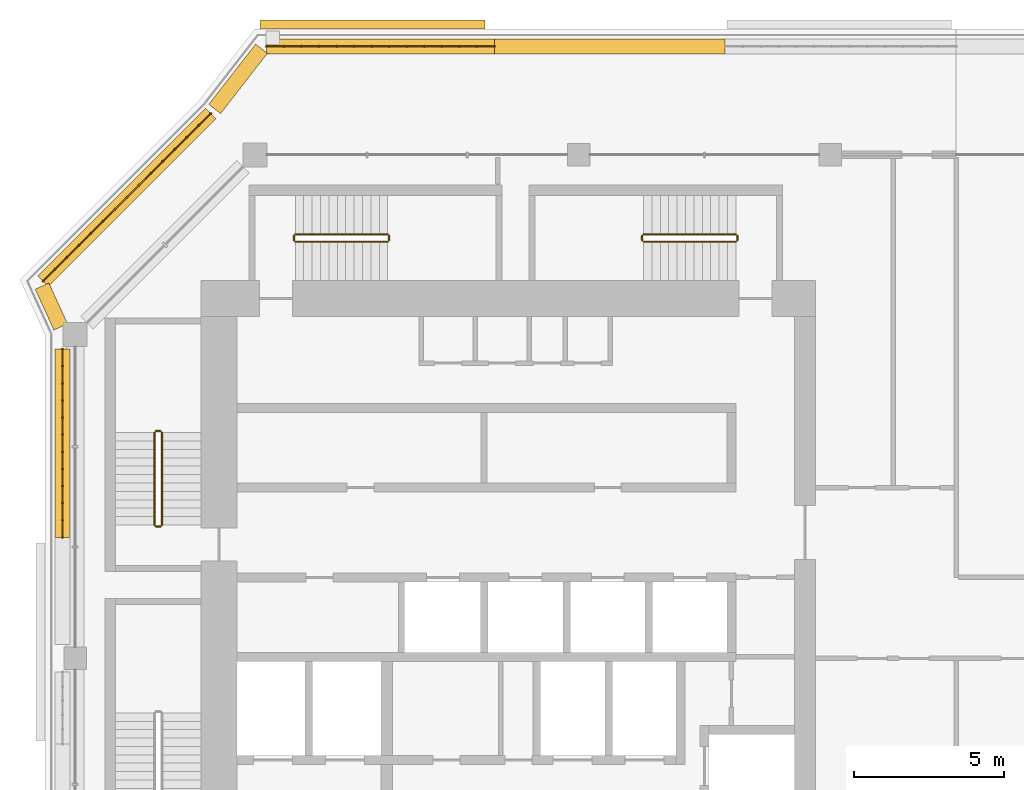
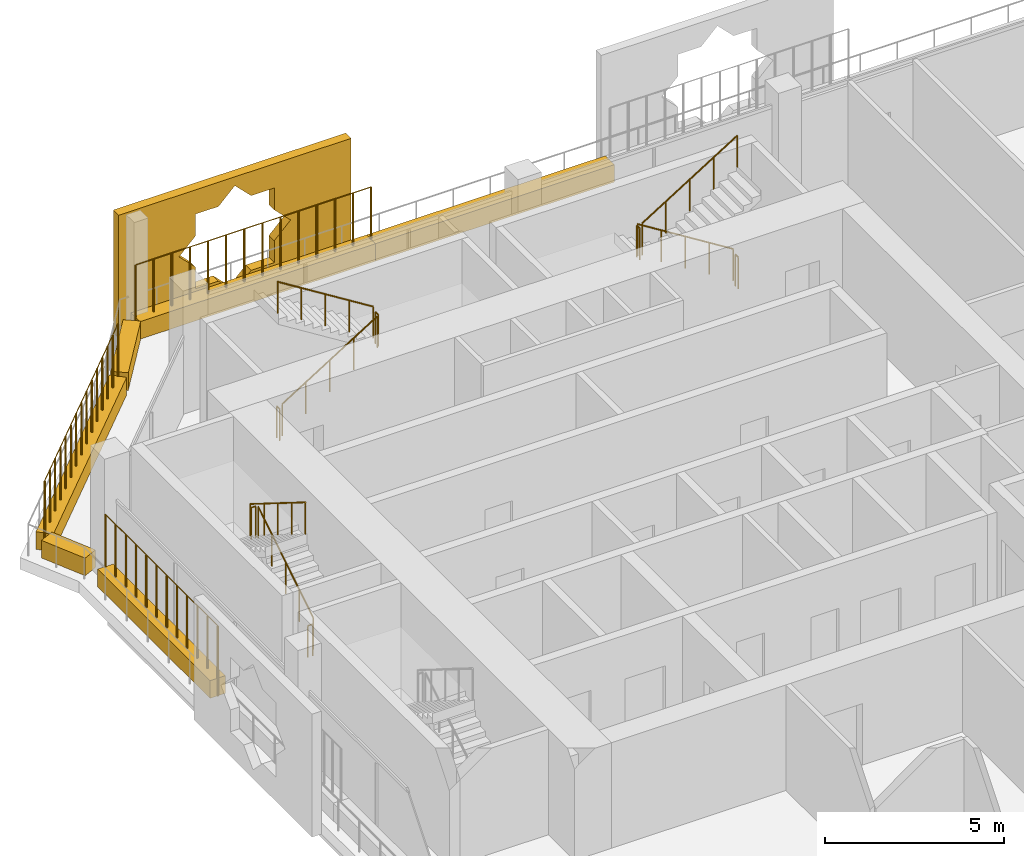
# One storey, part 19 of 22: 15 railings, 7 coverings.
"""IFC4 building model written with IfcOpenShell, lengths in metres."""

from ifc_helpers import new_model, si_unit, direction, frame, origin, origin_2d, place, context, subcontext, project, spatial, polyline, rectangle, circle, outline, extrude, material, material_profile, profile_set, type_object, element, save


model = new_model("IFC4")

# Units and contexts
model_context = context("Model", 3, precision=1e-05, world=origin(), true_north=direction((0.0, 1.0)))
body_context = subcontext(model_context, "Body", "Model", "MODEL_VIEW")
ifc_project = project(units=[si_unit("LENGTHUNIT", "METRE"), si_unit("AREAUNIT", "SQUARE_METRE"), si_unit("VOLUMEUNIT", "CUBIC_METRE"), si_unit("PLANEANGLEUNIT", "RADIAN"), si_unit("MASSUNIT", "GRAM", prefix="KILO")], contexts=[model_context])

# Site, building, storey
site_placement = place(None, origin())
site = spatial("IfcSite", under=ifc_project, at=site_placement, CompositionType="ELEMENT")
building_placement = place(site_placement, origin())
building = spatial("IfcBuilding", under=site, at=building_placement, Name="Kawkab Arch Medical Tower", CompositionType="ELEMENT")
storey_placement = place(building_placement, frame((0.0, 0.0, 286.0)))
storey = spatial("IfcBuildingStorey", under=building, at=storey_placement, Name="L66", CompositionType="ELEMENT", Elevation=286.0)

# Coverings
ifc_material_1 = material(Name="Bronze anodised aluminium mashrabiya panel, eight-point star pattern", Category="aluminium")
ifc_material_profile_1 = material_profile(ifc_material_1, outline(polyline([(-3.75, -2.10009765625), (3.75, -2.10009765625), (3.75, 2.10009765625), (-3.75, 2.10009765625), (-3.75, -2.10009765625)]), holes=[polyline([(1.800048828125, 0.0), (1.272705078125, 0.527099609375), (1.272705078125, 1.272705078125), (0.527099609375, 1.272705078125), (0.0, 1.800048828125), (-0.527099609375, 1.272705078125), (-1.272705078125, 1.272705078125), (-1.272705078125, 0.527099609375), (-1.800048828125, 0.0), (-1.272705078125, -0.527099609375), (-1.272705078125, -1.272705078125), (-0.527099609375, -1.272705078125), (0.0, -1.800048828125), (0.527099609375, -1.272705078125), (1.272705078125, -1.272705078125), (1.272705078125, -0.527099609375), (1.800048828125, 0.0)])]), Name="Mashrabiya panel 7500x4200")
ifc_profile_set_1 = profile_set([ifc_material_profile_1], Name="Bronze anodised aluminium mashrabiya panel, eight-point star pattern")
covering_type_1 = type_object("IfcCoveringType", Name="Mashrabiya panel 7500 x 4200", PredefinedType="USERDEFINED", material=ifc_profile_set_1)
covering_1_placement = place(storey_placement, frame((9.924072265625, 4.199951171875, 1.699951171875), z_axis=(0.0, 1.0, 0.0), x_axis=(-1.0, 0.0, 0.0)))
element("IfcCovering", 1, at=covering_1_placement, inside=storey, type_object=covering_type_1, Name="Mashrabiya panel L66.LOG-01-02.3", ObjectType="SCREEN", PredefinedType="USERDEFINED", context=body_context, shape_type="SweptSolid", body=[
    extrude(outline(polyline([(-3.75, -2.10009765625), (3.75, -2.10009765625), (3.75, 2.10009765625), (-3.75, 2.10009765625), (-3.75, -2.10009765625)]), holes=[polyline([(1.800048828125, 0.0), (1.272705078125, 0.527099609375), (1.272705078125, 1.272705078125), (0.527099609375, 1.272705078125), (0.0, 1.800048828125), (-0.527099609375, 1.272705078125), (-1.272705078125, 1.272705078125), (-1.272705078125, 0.527099609375), (-1.800048828125, 0.0), (-1.272705078125, -0.527099609375), (-1.272705078125, -1.272705078125), (-0.527099609375, -1.272705078125), (0.0, -1.800048828125), (0.527099609375, -1.272705078125), (1.272705078125, -1.272705078125), (1.272705078125, -0.527099609375), (1.800048828125, 0.0)])]), origin(), (0.0, 0.0, 1.0), 0.300048828125),
])
ifc_material_2 = material(Name="Planting soil in a precast trough", Category="concrete")
ifc_material_profile_2 = material_profile(ifc_material_2, rectangle(XDim=0.5, YDim=0.60009765625, at=origin_2d()), Name="Trough 500x600")
ifc_profile_set_2 = profile_set([ifc_material_profile_2], Name="Planting soil in a precast trough")
covering_type_2 = type_object("IfcCoveringType", Name="Planter trough 500 x 600", PredefinedType="USERDEFINED", material=ifc_profile_set_2)
covering_2_placement = place(storey_placement, frame((-0.419921875, -12.763916015625, 0.300048828125), z_axis=(0.0, 1.0, 0.0), x_axis=(-1.0, 0.0, 0.0)))
element("IfcCovering", 2, at=covering_2_placement, inside=storey, type_object=covering_type_2, Name="Planter L66.LOG-01-02.9", ObjectType="PLANTER", PredefinedType="USERDEFINED", context=body_context, shape_type="SweptSolid", body=[
    extrude(rectangle(XDim=0.5, YDim=0.60009765625, at=origin_2d()), origin(), (0.0, 0.0, 1.0), 6.283935546875),
])
covering_3_placement = place(storey_placement, frame((-0.47998046875, -5.741943359375, 0.300048828125), z_axis=(-0.415189748133, 0.909734836667, 0.0), x_axis=(-0.909734836667, -0.415189748133, 0.0)))
element("IfcCovering", 3, at=covering_3_placement, inside=storey, type_object=covering_type_2, Name="Planter L66.LOG-01-02.10", ObjectType="PLANTER", PredefinedType="USERDEFINED", context=body_context, shape_type="SweptSolid", body=[
    extrude(rectangle(XDim=0.5, YDim=0.60009765625, at=origin_2d()), origin(), (0.0, 0.0, 1.0), 1.498291015625),
])
covering_4_placement = place(storey_placement, frame((-1.072998046875, -4.217041015625, 0.300048828125), z_axis=(0.707106781187, 0.707106781187, 0.0), x_axis=(-0.707106781187, 0.707106781187, 0.0)))
element("IfcCovering", 4, at=covering_4_placement, inside=storey, type_object=covering_type_2, Name="Planter L66.LOG-01-02.11", ObjectType="PLANTER", PredefinedType="USERDEFINED", context=body_context, shape_type="SweptSolid", body=[
    extrude(rectangle(XDim=0.5, YDim=0.60009765625, at=origin_2d()), origin(), (0.0, 0.0, 1.0), 7.919677734375),
])
covering_5_placement = place(storey_placement, frame((4.658935546875, 1.531982421875, 0.300048828125), z_axis=(0.61404021143, 0.789274742246, 0.0), x_axis=(-0.789274742246, 0.61404021143, 0.0)))
element("IfcCovering", 5, at=covering_5_placement, inside=storey, type_object=covering_type_2, Name="Planter L66.LOG-01-02.12", ObjectType="PLANTER", PredefinedType="USERDEFINED", context=body_context, shape_type="SweptSolid", body=[
    extrude(rectangle(XDim=0.5, YDim=0.60009765625, at=origin_2d()), origin(), (0.0, 0.0, 1.0), 2.54541015625),
])
covering_6_placement = place(storey_placement, frame((6.384033203125, 3.6201171875, 0.300048828125), z_axis=(1.0, 0.0, 0.0), x_axis=(0.0, 1.0, 0.0)))
element("IfcCovering", 6, at=covering_6_placement, inside=storey, type_object=covering_type_2, Name="Planter L66.LOG-01-02.13", ObjectType="PLANTER", PredefinedType="USERDEFINED", context=body_context, shape_type="SweptSolid", body=[
    extrude(rectangle(XDim=0.5, YDim=0.60009765625, at=origin_2d()), origin(), (0.0, 0.0, 1.0), 7.60498046875),
])
covering_7_placement = place(storey_placement, frame((13.989013671875, 3.6201171875, 0.300048828125), z_axis=(1.0, 0.0, 0.0), x_axis=(0.0, 1.0, 0.0)))
element("IfcCovering", 7, at=covering_7_placement, inside=storey, type_object=covering_type_2, Name="Planter L66.LOG-01-02.14", ObjectType="PLANTER", PredefinedType="USERDEFINED", context=body_context, shape_type="SweptSolid", body=[
    extrude(rectangle(XDim=0.5, YDim=0.60009765625, at=origin_2d()), origin(), (0.0, 0.0, 1.0), 7.7060546875),
])

# Railings
ifc_material_3 = material(Name="Bronze anodised aluminium trellis for climbing plants", Category="aluminium")
railing_type_1 = type_object("IfcRailingType", Name="Planting trellis 2400", PredefinedType="USERDEFINED", material=ifc_material_3)
railing_1_placement = place(storey_placement, frame((-0.419921875, -12.763916015625, 0.0)))
element("IfcRailing", 8, at=railing_1_placement, inside=storey, type_object=railing_type_1, Name="Planting trellis L66.LOG-01-02.9", ObjectType="TRELLIS", PredefinedType="USERDEFINED", context=body_context, shape_type="SweptSolid", body=[
    extrude(circle(Radius=0.01513671875, at=origin_2d()), frame((0.0, 0.0, 2.384765625), z_axis=(0.0, 1.0, 0.0), x_axis=(-1.0, 0.0, 0.0)), (0.0, 0.0, 1.0), 6.283935546875),
    extrude(circle(Radius=0.030029296875, at=origin_2d()), origin(), (0.0, 0.0, 1.0), 2.369873046875),
    extrude(circle(Radius=0.030029296875, at=origin_2d()), frame((0.0, 0.5712890625, 0.0)), (0.0, 0.0, 1.0), 2.369873046875),
    extrude(circle(Radius=0.030029296875, at=origin_2d()), frame((0.0, 1.142578125, 0.0)), (0.0, 0.0, 1.0), 2.369873046875),
    extrude(circle(Radius=0.030029296875, at=origin_2d()), frame((0.0, 1.7138671875, 0.0)), (0.0, 0.0, 1.0), 2.369873046875),
    extrude(circle(Radius=0.030029296875, at=origin_2d()), frame((0.0, 2.28515625, 0.0)), (0.0, 0.0, 1.0), 2.369873046875),
    extrude(circle(Radius=0.030029296875, at=origin_2d()), frame((0.0, 2.8564453125, 0.0)), (0.0, 0.0, 1.0), 2.369873046875),
    extrude(circle(Radius=0.030029296875, at=origin_2d()), frame((0.0, 3.427490234375, 0.0)), (0.0, 0.0, 1.0), 2.369873046875),
    extrude(circle(Radius=0.030029296875, at=origin_2d()), frame((0.0, 3.998779296875, 0.0)), (0.0, 0.0, 1.0), 2.369873046875),
    extrude(circle(Radius=0.030029296875, at=origin_2d()), frame((0.0, 4.570068359375, 0.0)), (0.0, 0.0, 1.0), 2.369873046875),
    extrude(circle(Radius=0.030029296875, at=origin_2d()), frame((0.0, 5.141357421875, 0.0)), (0.0, 0.0, 1.0), 2.369873046875),
    extrude(circle(Radius=0.030029296875, at=origin_2d()), frame((0.0, 5.712646484375, 0.0)), (0.0, 0.0, 1.0), 2.369873046875),
    extrude(circle(Radius=0.030029296875, at=origin_2d()), frame((0.0, 6.283935546875, 0.0)), (0.0, 0.0, 1.0), 2.369873046875),
])
railing_2_placement = place(storey_placement, frame((-1.072998046875, -4.217041015625, 0.0)))
element("IfcRailing", 9, at=railing_2_placement, inside=storey, type_object=railing_type_1, Name="Planting trellis L66.LOG-01-02.11", ObjectType="TRELLIS", PredefinedType="USERDEFINED", context=body_context, shape_type="SweptSolid", body=[
    extrude(circle(Radius=0.01513671875, at=origin_2d()), frame((0.0, 0.0, 2.384765625), z_axis=(0.707106781187, 0.707106781187, 0.0), x_axis=(-0.707106781187, 0.707106781187, 0.0)), (0.0, 0.0, 1.0), 7.919677734375),
    extrude(circle(Radius=0.030029296875, at=origin_2d()), origin(), (0.0, 0.0, 1.0), 2.369873046875),
    extrude(circle(Radius=0.030029296875, at=origin_2d()), frame((0.39990234375, 0.39990234375, 0.0)), (0.0, 0.0, 1.0), 2.369873046875),
    extrude(circle(Radius=0.030029296875, at=origin_2d()), frame((0.800048828125, 0.800048828125, 0.0)), (0.0, 0.0, 1.0), 2.369873046875),
    extrude(circle(Radius=0.030029296875, at=origin_2d()), frame((1.199951171875, 1.199951171875, 0.0)), (0.0, 0.0, 1.0), 2.369873046875),
    extrude(circle(Radius=0.030029296875, at=origin_2d()), frame((1.60009765625, 1.60009765625, 0.0)), (0.0, 0.0, 1.0), 2.369873046875),
    extrude(circle(Radius=0.030029296875, at=origin_2d()), frame((2.0, 2.0, 0.0)), (0.0, 0.0, 1.0), 2.369873046875),
    extrude(circle(Radius=0.030029296875, at=origin_2d()), frame((2.400146484375, 2.400146484375, 0.0)), (0.0, 0.0, 1.0), 2.369873046875),
    extrude(circle(Radius=0.030029296875, at=origin_2d()), frame((2.800048828125, 2.800048828125, 0.0)), (0.0, 0.0, 1.0), 2.369873046875),
    extrude(circle(Radius=0.030029296875, at=origin_2d()), frame((3.199951171875, 3.199951171875, 0.0)), (0.0, 0.0, 1.0), 2.369873046875),
    extrude(circle(Radius=0.030029296875, at=origin_2d()), frame((3.60009765625, 3.60009765625, 0.0)), (0.0, 0.0, 1.0), 2.369873046875),
    extrude(circle(Radius=0.030029296875, at=origin_2d()), frame((4.0, 4.0, 0.0)), (0.0, 0.0, 1.0), 2.369873046875),
    extrude(circle(Radius=0.030029296875, at=origin_2d()), frame((4.400146484375, 4.400146484375, 0.0)), (0.0, 0.0, 1.0), 2.369873046875),
    extrude(circle(Radius=0.030029296875, at=origin_2d()), frame((4.800048828125, 4.800048828125, 0.0)), (0.0, 0.0, 1.0), 2.369873046875),
    extrude(circle(Radius=0.030029296875, at=origin_2d()), frame((5.2001953125, 5.2001953125, 0.0)), (0.0, 0.0, 1.0), 2.369873046875),
    extrude(circle(Radius=0.030029296875, at=origin_2d()), frame((5.60009765625, 5.60009765625, 0.0)), (0.0, 0.0, 1.0), 2.369873046875),
])
railing_3_placement = place(storey_placement, frame((6.384033203125, 3.6201171875, 0.0)))
element("IfcRailing", 10, at=railing_3_placement, inside=storey, type_object=railing_type_1, Name="Planting trellis L66.LOG-01-02.13", ObjectType="TRELLIS", PredefinedType="USERDEFINED", context=body_context, shape_type="SweptSolid", body=[
    extrude(circle(Radius=0.01513671875, at=origin_2d()), frame((0.0, 0.0, 2.384765625), z_axis=(1.0, 0.0, 0.0), x_axis=(0.0, 1.0, 0.0)), (0.0, 0.0, 1.0), 7.60498046875),
    extrude(circle(Radius=0.030029296875, at=origin_2d()), origin(), (0.0, 0.0, 1.0), 2.369873046875),
    extrude(circle(Radius=0.030029296875, at=origin_2d()), frame((0.5849609375, 0.0, 0.0)), (0.0, 0.0, 1.0), 2.369873046875),
    extrude(circle(Radius=0.030029296875, at=origin_2d()), frame((1.169921875, 0.0, 0.0)), (0.0, 0.0, 1.0), 2.369873046875),
    extrude(circle(Radius=0.030029296875, at=origin_2d()), frame((1.7548828125, 0.0, 0.0)), (0.0, 0.0, 1.0), 2.369873046875),
    extrude(circle(Radius=0.030029296875, at=origin_2d()), frame((2.340087890625, 0.0, 0.0)), (0.0, 0.0, 1.0), 2.369873046875),
    extrude(circle(Radius=0.030029296875, at=origin_2d()), frame((2.925048828125, 0.0, 0.0)), (0.0, 0.0, 1.0), 2.369873046875),
    extrude(circle(Radius=0.030029296875, at=origin_2d()), frame((3.510009765625, 0.0, 0.0)), (0.0, 0.0, 1.0), 2.369873046875),
    extrude(circle(Radius=0.030029296875, at=origin_2d()), frame((4.094970703125, 0.0, 0.0)), (0.0, 0.0, 1.0), 2.369873046875),
    extrude(circle(Radius=0.030029296875, at=origin_2d()), frame((4.679931640625, 0.0, 0.0)), (0.0, 0.0, 1.0), 2.369873046875),
    extrude(circle(Radius=0.030029296875, at=origin_2d()), frame((5.264892578125, 0.0, 0.0)), (0.0, 0.0, 1.0), 2.369873046875),
    extrude(circle(Radius=0.030029296875, at=origin_2d()), frame((5.85009765625, 0.0, 0.0)), (0.0, 0.0, 1.0), 2.369873046875),
    extrude(circle(Radius=0.030029296875, at=origin_2d()), frame((6.43505859375, 0.0, 0.0)), (0.0, 0.0, 1.0), 2.369873046875),
    extrude(circle(Radius=0.030029296875, at=origin_2d()), frame((7.02001953125, 0.0, 0.0)), (0.0, 0.0, 1.0), 2.369873046875),
    extrude(circle(Radius=0.030029296875, at=origin_2d()), frame((7.60498046875, 0.0, 0.0)), (0.0, 0.0, 1.0), 2.369873046875),
])
ifc_material_4 = material(Name="Stainless steel", Category="steel")
railing_type_2 = type_object("IfcRailingType", Name="Stair guard 1100", PredefinedType="GUARDRAIL", material=ifc_material_4)
railing_4_placement = place(storey_placement, frame((2.89990234375, -12.35009765625, 0.175048828125)))
element("IfcRailing", 11, at=railing_4_placement, inside=storey, type_object=railing_type_2, Name="L66 ST1 stair guard 1", PredefinedType="GUARDRAIL", context=body_context, shape_type="SweptSolid", body=[
    extrude(circle(Radius=0.02392578125, at=origin_2d()), frame((0.0, 0.0, 1.076171875), z_axis=(0.0, 0.847998304005, 0.529998940003), x_axis=(-1.0, 0.0, 0.0)), (0.0, 0.0, 1.0), 3.632080078125),
    extrude(circle(Radius=0.02099609375, at=origin_2d()), origin(), (0.0, 0.0, 1.0), 1.052001953125),
    extrude(circle(Radius=0.02099609375, at=origin_2d()), frame((0.0, 0.77001953125, 0.481201171875)), (0.0, 0.0, 1.0), 1.052001953125),
    extrude(circle(Radius=0.02099609375, at=origin_2d()), frame((0.0, 1.5400390625, 0.96240234375)), (0.0, 0.0, 1.0), 1.052001953125),
    extrude(circle(Radius=0.02099609375, at=origin_2d()), frame((0.0, 2.31005859375, 1.44384765625)), (0.0, 0.0, 1.0), 1.052001953125),
    extrude(circle(Radius=0.02099609375, at=origin_2d()), frame((0.0, 3.080078125, 1.925048828125)), (0.0, 0.0, 1.0), 1.052001953125),
])
railing_5_placement = place(storey_placement, frame((2.85009765625, -9.219970703125, 2.10009765625)))
element("IfcRailing", 12, at=railing_5_placement, inside=storey, type_object=railing_type_2, Name="L66 ST1 stair guard 2", PredefinedType="GUARDRAIL", context=body_context, shape_type="SweptSolid", body=[
    extrude(circle(Radius=0.02392578125, at=origin_2d()), frame((0.0, 0.0, 1.076171875), z_axis=(-1.0, 0.0, 0.0), x_axis=(0.0, -1.0, 0.0)), (0.0, 0.0, 1.0), 0.150146484375),
    extrude(circle(Radius=0.02099609375, at=origin_2d()), origin(), (0.0, 0.0, 1.0), 1.052001953125),
    extrude(circle(Radius=0.02099609375, at=origin_2d()), frame((-0.150146484375, 0.0, 0.0)), (0.0, 0.0, 1.0), 1.052001953125),
])
railing_6_placement = place(storey_placement, frame((2.64990234375, -9.27001953125, 2.27490234375)))
element("IfcRailing", 13, at=railing_6_placement, inside=storey, type_object=railing_type_2, Name="L66 ST1 stair guard 3", PredefinedType="GUARDRAIL", context=body_context, shape_type="SweptSolid", body=[
    extrude(circle(Radius=0.02392578125, at=origin_2d()), frame((0.0, 0.0, 1.076171875), z_axis=(0.0, -0.847998304005, 0.529998940003), x_axis=(1.0, 0.0, 0.0)), (0.0, 0.0, 1.0), 3.632080078125),
    extrude(circle(Radius=0.02099609375, at=origin_2d()), origin(), (0.0, 0.0, 1.0), 1.052001953125),
    extrude(circle(Radius=0.02099609375, at=origin_2d()), frame((0.0, -0.77001953125, 0.481201171875)), (0.0, 0.0, 1.0), 1.052001953125),
    extrude(circle(Radius=0.02099609375, at=origin_2d()), frame((0.0, -1.5400390625, 0.96240234375)), (0.0, 0.0, 1.0), 1.052001953125),
    extrude(circle(Radius=0.02099609375, at=origin_2d()), frame((0.0, -2.31005859375, 1.44384765625)), (0.0, 0.0, 1.0), 1.052001953125),
    extrude(circle(Radius=0.02099609375, at=origin_2d()), frame((0.0, -3.080078125, 1.925048828125)), (0.0, 0.0, 1.0), 1.052001953125),
])
railing_7_placement = place(storey_placement, frame((2.85009765625, -12.39990234375, 0.0)))
element("IfcRailing", 14, at=railing_7_placement, inside=storey, type_object=railing_type_2, Name="L66 ST1 stair guard 4", PredefinedType="GUARDRAIL", context=body_context, shape_type="SweptSolid", body=[
    extrude(circle(Radius=0.02392578125, at=origin_2d()), frame((0.0, 0.0, 1.076171875), z_axis=(-1.0, 0.0, 0.0), x_axis=(0.0, -1.0, 0.0)), (0.0, 0.0, 1.0), 0.150146484375),
    extrude(circle(Radius=0.02099609375, at=origin_2d()), origin(), (0.0, 0.0, 1.0), 1.052001953125),
    extrude(circle(Radius=0.02099609375, at=origin_2d()), frame((-0.150146484375, 0.0, 0.0)), (0.0, 0.0, 1.0), 1.052001953125),
])
railing_8_placement = place(storey_placement, frame((7.35009765625, -2.89990234375, 0.175048828125)))
element("IfcRailing", 15, at=railing_8_placement, inside=storey, type_object=railing_type_2, Name="L66 ST3 stair guard 1", PredefinedType="GUARDRAIL", context=body_context, shape_type="SweptSolid", body=[
    extrude(circle(Radius=0.02392578125, at=origin_2d()), frame((0.0, 0.0, 1.076171875), z_axis=(0.847979421464, 0.0, 0.530029150871), x_axis=(0.0, 1.0, 0.0)), (0.0, 0.0, 1.0), 3.632080078125),
    extrude(circle(Radius=0.02099609375, at=origin_2d()), origin(), (0.0, 0.0, 1.0), 1.052001953125),
    extrude(circle(Radius=0.02099609375, at=origin_2d()), frame((0.77001953125, 0.0, 0.481201171875)), (0.0, 0.0, 1.0), 1.052001953125),
    extrude(circle(Radius=0.02099609375, at=origin_2d()), frame((1.5400390625, 0.0, 0.96240234375)), (0.0, 0.0, 1.0), 1.052001953125),
    extrude(circle(Radius=0.02099609375, at=origin_2d()), frame((2.309814453125, 0.0, 1.44384765625)), (0.0, 0.0, 1.0), 1.052001953125),
    extrude(circle(Radius=0.02099609375, at=origin_2d()), frame((3.079833984375, 0.0, 1.925048828125)), (0.0, 0.0, 1.0), 1.052001953125),
])
railing_9_placement = place(storey_placement, frame((10.47998046875, -2.85009765625, 2.10009765625)))
element("IfcRailing", 16, at=railing_9_placement, inside=storey, type_object=railing_type_2, Name="L66 ST3 stair guard 2", PredefinedType="GUARDRAIL", context=body_context, shape_type="SweptSolid", body=[
    extrude(circle(Radius=0.02392578125, at=origin_2d()), frame((0.0, 0.0, 1.076171875), z_axis=(0.0, 1.0, 0.0), x_axis=(-1.0, 0.0, 0.0)), (0.0, 0.0, 1.0), 0.150146484375),
    extrude(circle(Radius=0.02099609375, at=origin_2d()), origin(), (0.0, 0.0, 1.0), 1.052001953125),
    extrude(circle(Radius=0.02099609375, at=origin_2d()), frame((0.0, 0.150146484375, 0.0)), (0.0, 0.0, 1.0), 1.052001953125),
])
railing_10_placement = place(storey_placement, frame((10.429931640625, -2.64990234375, 2.27490234375)))
element("IfcRailing", 17, at=railing_10_placement, inside=storey, type_object=railing_type_2, Name="L66 ST3 stair guard 3", PredefinedType="GUARDRAIL", context=body_context, shape_type="SweptSolid", body=[
    extrude(circle(Radius=0.02392578125, at=origin_2d()), frame((0.0, 0.0, 1.076171875), z_axis=(-0.847979421464, 0.0, 0.530029150871), x_axis=(0.0, -1.0, 0.0)), (0.0, 0.0, 1.0), 3.632080078125),
    extrude(circle(Radius=0.02099609375, at=origin_2d()), origin(), (0.0, 0.0, 1.0), 1.052001953125),
    extrude(circle(Radius=0.02099609375, at=origin_2d()), frame((-0.77001953125, 0.0, 0.481201171875)), (0.0, 0.0, 1.0), 1.052001953125),
    extrude(circle(Radius=0.02099609375, at=origin_2d()), frame((-1.5400390625, 0.0, 0.96240234375)), (0.0, 0.0, 1.0), 1.052001953125),
    extrude(circle(Radius=0.02099609375, at=origin_2d()), frame((-2.309814453125, 0.0, 1.44384765625)), (0.0, 0.0, 1.0), 1.052001953125),
    extrude(circle(Radius=0.02099609375, at=origin_2d()), frame((-3.079833984375, 0.0, 1.925048828125)), (0.0, 0.0, 1.0), 1.052001953125),
])
railing_11_placement = place(storey_placement, frame((7.300048828125, -2.85009765625, 0.0)))
element("IfcRailing", 18, at=railing_11_placement, inside=storey, type_object=railing_type_2, Name="L66 ST3 stair guard 4", PredefinedType="GUARDRAIL", context=body_context, shape_type="SweptSolid", body=[
    extrude(circle(Radius=0.02392578125, at=origin_2d()), frame((0.0, 0.0, 1.076171875), z_axis=(0.0, 1.0, 0.0), x_axis=(-1.0, 0.0, 0.0)), (0.0, 0.0, 1.0), 0.150146484375),
    extrude(circle(Radius=0.02099609375, at=origin_2d()), origin(), (0.0, 0.0, 1.0), 1.052001953125),
    extrude(circle(Radius=0.02099609375, at=origin_2d()), frame((0.0, 0.150146484375, 0.0)), (0.0, 0.0, 1.0), 1.052001953125),
])
railing_12_placement = place(storey_placement, frame((22.050048828125, -2.64990234375, 0.175048828125)))
element("IfcRailing", 19, at=railing_12_placement, inside=storey, type_object=railing_type_2, Name="L66 ST4 stair guard 1", PredefinedType="GUARDRAIL", context=body_context, shape_type="SweptSolid", body=[
    extrude(circle(Radius=0.02392578125, at=origin_2d()), frame((0.0, 0.0, 1.076171875), z_axis=(-0.847998304005, 0.0, 0.529998940003), x_axis=(0.0, -1.0, 0.0)), (0.0, 0.0, 1.0), 3.632080078125),
    extrude(circle(Radius=0.02099609375, at=origin_2d()), origin(), (0.0, 0.0, 1.0), 1.052001953125),
    extrude(circle(Radius=0.02099609375, at=origin_2d()), frame((-0.77001953125, 0.0, 0.481201171875)), (0.0, 0.0, 1.0), 1.052001953125),
    extrude(circle(Radius=0.02099609375, at=origin_2d()), frame((-1.5400390625, 0.0, 0.96240234375)), (0.0, 0.0, 1.0), 1.052001953125),
    extrude(circle(Radius=0.02099609375, at=origin_2d()), frame((-2.31005859375, 0.0, 1.44384765625)), (0.0, 0.0, 1.0), 1.052001953125),
    extrude(circle(Radius=0.02099609375, at=origin_2d()), frame((-3.080078125, 0.0, 1.925048828125)), (0.0, 0.0, 1.0), 1.052001953125),
])
railing_13_placement = place(storey_placement, frame((18.919921875, -2.699951171875, 2.10009765625)))
element("IfcRailing", 20, at=railing_13_placement, inside=storey, type_object=railing_type_2, Name="L66 ST4 stair guard 2", PredefinedType="GUARDRAIL", context=body_context, shape_type="SweptSolid", body=[
    extrude(circle(Radius=0.02392578125, at=origin_2d()), frame((0.0, 0.0, 1.076171875), z_axis=(0.0, -1.0, 0.0), x_axis=(1.0, 0.0, 0.0)), (0.0, 0.0, 1.0), 0.150146484375),
    extrude(circle(Radius=0.02099609375, at=origin_2d()), origin(), (0.0, 0.0, 1.0), 1.052001953125),
    extrude(circle(Radius=0.02099609375, at=origin_2d()), frame((0.0, -0.150146484375, 0.0)), (0.0, 0.0, 1.0), 1.052001953125),
])
railing_14_placement = place(storey_placement, frame((18.969970703125, -2.89990234375, 2.27490234375)))
element("IfcRailing", 21, at=railing_14_placement, inside=storey, type_object=railing_type_2, Name="L66 ST4 stair guard 3", PredefinedType="GUARDRAIL", context=body_context, shape_type="SweptSolid", body=[
    extrude(circle(Radius=0.02392578125, at=origin_2d()), frame((0.0, 0.0, 1.076171875), z_axis=(0.847998304005, 0.0, 0.529998940003), x_axis=(0.0, 1.0, 0.0)), (0.0, 0.0, 1.0), 3.632080078125),
    extrude(circle(Radius=0.02099609375, at=origin_2d()), origin(), (0.0, 0.0, 1.0), 1.052001953125),
    extrude(circle(Radius=0.02099609375, at=origin_2d()), frame((0.77001953125, 0.0, 0.481201171875)), (0.0, 0.0, 1.0), 1.052001953125),
    extrude(circle(Radius=0.02099609375, at=origin_2d()), frame((1.5400390625, 0.0, 0.96240234375)), (0.0, 0.0, 1.0), 1.052001953125),
    extrude(circle(Radius=0.02099609375, at=origin_2d()), frame((2.31005859375, 0.0, 1.44384765625)), (0.0, 0.0, 1.0), 1.052001953125),
    extrude(circle(Radius=0.02099609375, at=origin_2d()), frame((3.080078125, 0.0, 1.925048828125)), (0.0, 0.0, 1.0), 1.052001953125),
])
railing_15_placement = place(storey_placement, frame((22.10009765625, -2.699951171875, 0.0)))
element("IfcRailing", 22, at=railing_15_placement, inside=storey, type_object=railing_type_2, Name="L66 ST4 stair guard 4", PredefinedType="GUARDRAIL", context=body_context, shape_type="SweptSolid", body=[
    extrude(circle(Radius=0.02392578125, at=origin_2d()), frame((0.0, 0.0, 1.076171875), z_axis=(0.0, -1.0, 0.0), x_axis=(1.0, 0.0, 0.0)), (0.0, 0.0, 1.0), 0.150146484375),
    extrude(circle(Radius=0.02099609375, at=origin_2d()), origin(), (0.0, 0.0, 1.0), 1.052001953125),
    extrude(circle(Radius=0.02099609375, at=origin_2d()), frame((0.0, -0.150146484375, 0.0)), (0.0, 0.0, 1.0), 1.052001953125),
])

save(model, "model.ifc")
